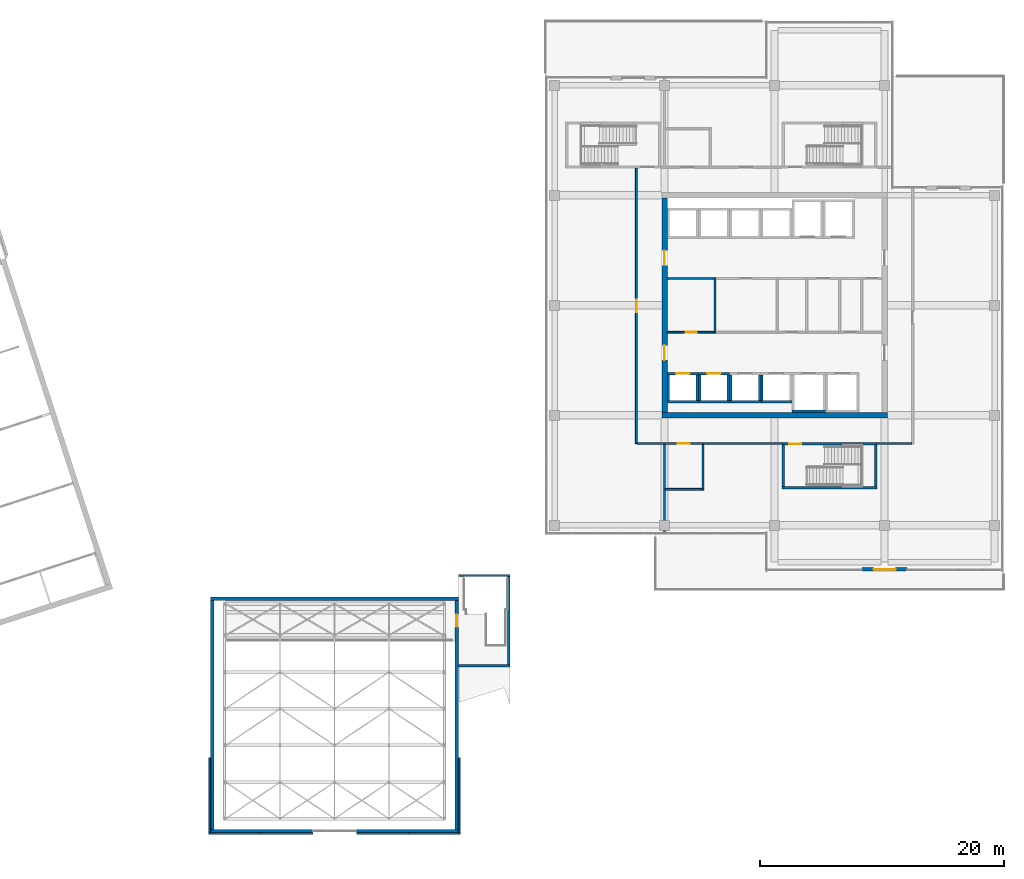
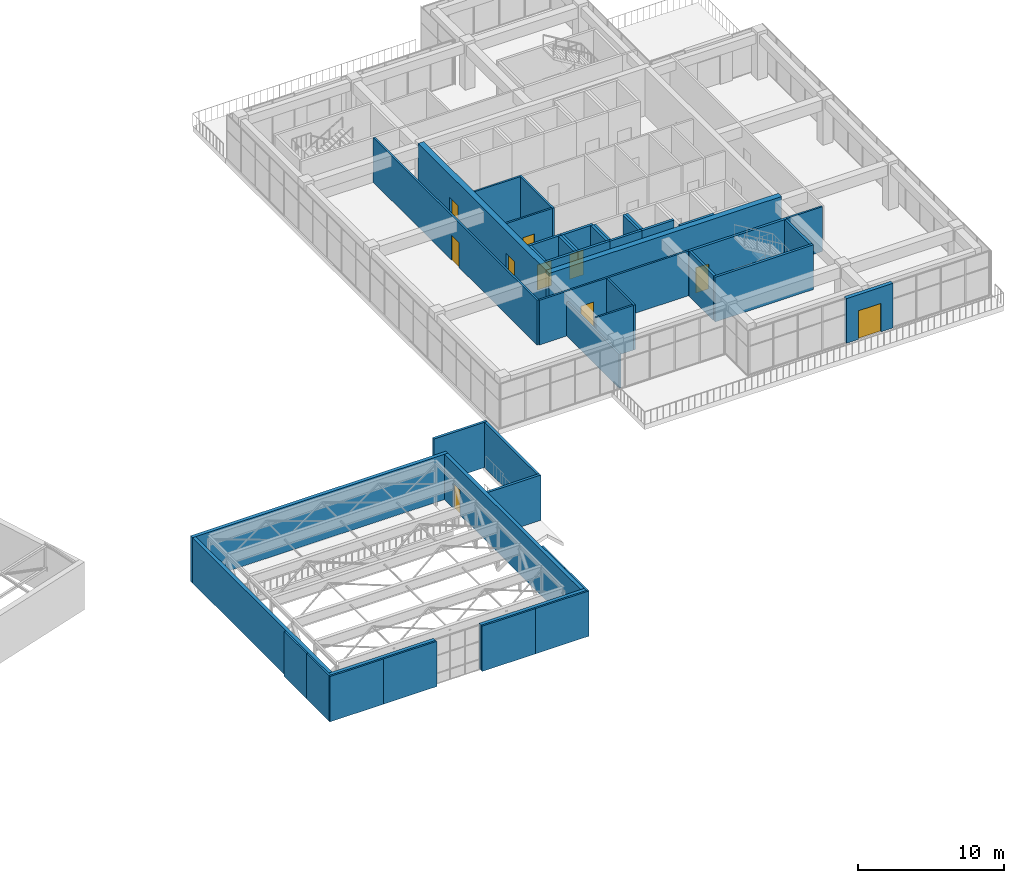
# One storey, part 73 of 81: 46 walls, 10 doors, 10 openings.
"""IFC4 building model written with IfcOpenShell, lengths in metres."""

from ifc_helpers import new_model, si_unit, direction, frame, frame_2d, origin, place, context, subcontext, project, spatial, rectangle, extrude, material, layer, layer_set, type_object, element, fill, save


model = new_model("IFC4")

# Units and contexts
model_context = context("Model", 3, precision=1e-05, world=origin(), true_north=direction((0.0, 1.0)))
body_context = subcontext(model_context, "Body", "Model", "MODEL_VIEW")
ifc_project = project(units=[si_unit("LENGTHUNIT", "METRE"), si_unit("AREAUNIT", "SQUARE_METRE"), si_unit("VOLUMEUNIT", "CUBIC_METRE"), si_unit("PLANEANGLEUNIT", "RADIAN"), si_unit("MASSUNIT", "GRAM", prefix="KILO")], contexts=[model_context])

# Site, building, storey
site_placement = place(None, origin())
site = spatial("IfcSite", under=ifc_project, at=site_placement, CompositionType="ELEMENT")
building_placement = place(site_placement, origin())
building = spatial("IfcBuilding", under=site, at=building_placement, Name="Tuart Plaza Theatre", CompositionType="ELEMENT")
storey_placement = place(building_placement, frame((0.0, 0.0, 17.5)))
storey = spatial("IfcBuildingStorey", under=building, at=storey_placement, Name="L04", CompositionType="ELEMENT", Elevation=17.5)

# Wall
ifc_material_1 = material(Name="Masonry block", Category="masonry")
ifc_layer_1 = layer(ifc_material_1, 0.14990234375)
ifc_layer_set_1 = layer_set([ifc_layer_1], Name="PARTITION BLK150 MASONRYB FRL -/120/120")
wall_type_1 = type_object("IfcWallType", Name="PARTITION BLK150 MASONRYB FRL -/120/120", PredefinedType="PARTITIONING", material=ifc_layer_set_1)
wall_1_placement = place(storey_placement, frame((127.125, 71.72509765625, 0.0), z_axis=(0.0, 0.0, 1.0), x_axis=(0.0, 1.0, 0.0)))
element("IfcWall", 1, at=wall_1_placement, inside=storey, type_object=wall_type_1, Name="P607", PredefinedType="PARTITIONING", context=body_context, shape_type="SweptSolid", body=[
    extrude(rectangle(XDim=4.5498046875, YDim=0.14990234375, at=frame_2d((2.27490234375, 0.0))), origin(), (0.0, 0.0, 1.0), 3.75),
])

# Wall, opening, door
wall_2_placement = place(storey_placement, frame((123.22509765625, 71.800048828125, 0.0), z_axis=(0.0, 0.0, 1.0), x_axis=(1.0, 0.0, 0.0)))
wall_2 = element("IfcWall", 2, at=wall_2_placement, inside=storey, type_object=wall_type_1, Name="P608", PredefinedType="PARTITIONING", context=body_context, shape_type="SweptSolid", body=[
    extrude(rectangle(XDim=3.824951171875, YDim=0.14990234375, at=frame_2d((1.91259765625, 0.0))), origin(), (0.0, 0.0, 1.0), 3.75),
])
opening_1_placement = place(wall_2_placement, frame((1.5, 0.0, 0.0)))
opening_1 = element("IfcOpeningElement", 3, at=opening_1_placement, cuts=wall_2, Name="Opening L04-038", PredefinedType="OPENING", context=body_context, shape_type="SweptSolid", body=[
    extrude(rectangle(XDim=0.89990234375, YDim=2.10009765625, at=frame_2d((0.449951171875, 1.050048828125))), frame((0.0, 0.0849609375, 0.0), z_axis=(0.0, -1.0, 0.0), x_axis=(1.0, 0.0, 0.0)), (0.0, 0.0, 1.0), 0.169921875),
])
ifc_material_2 = material(Name="Steel Grade 300", Category="steel")
door_type_1 = type_object("IfcDoorType", Name="DOOR 900x2100 steel single swing FRL -/120/30", OperationType="SINGLE_SWING_LEFT", PredefinedType="DOOR", material=ifc_material_2)
door_1_placement = place(opening_1_placement, origin())
door_1 = element("IfcDoor", 4, at=door_1_placement, inside=storey, type_object=door_type_1, Name="L04-038", OperationType="SINGLE_SWING_LEFT", OverallHeight=2.10009765625, OverallWidth=0.89990234375, PredefinedType="DOOR", context=body_context, shape_type="SweptSolid", body=[
    extrude(rectangle(XDim=0.89990234375, YDim=2.10009765625, at=frame_2d((0.449951171875, 1.050048828125))), frame((0.0, 0.02490234375, 0.0), z_axis=(0.0, -1.0, 0.0), x_axis=(1.0, 0.0, 0.0)), (0.0, 0.0, 1.0), 0.050048828125),
])
fill(opening_1, door_1)

# Wall
wall_3_placement = place(storey_placement, frame((123.22509765625, 76.199951171875, 0.0), z_axis=(0.0, 0.0, 1.0), x_axis=(1.0, 0.0, 0.0)))
element("IfcWall", 5, at=wall_3_placement, inside=storey, type_object=wall_type_1, Name="P609", PredefinedType="PARTITIONING", context=body_context, shape_type="SweptSolid", body=[
    extrude(rectangle(XDim=3.824951171875, YDim=0.14990234375, at=frame_2d((1.91259765625, 0.0))), origin(), (0.0, 0.0, 1.0), 3.75),
])

# Wall, opening, door
ifc_material_3 = material(Name="Masonry block", Category="masonry")
ifc_layer_2 = layer(ifc_material_3, 0.14990234375)
ifc_layer_set_2 = layer_set([ifc_layer_2], Name="PARTITION BLK150 MASONRYB FRL 120/-/-")
wall_type_2 = type_object("IfcWallType", Name="PARTITION BLK150 MASONRYB FRL 120/-/-", PredefinedType="PARTITIONING", material=ifc_layer_set_2)
wall_4_placement = place(storey_placement, frame((120.699951171875, 62.699951171875, 0.0), z_axis=(0.0, 0.0, 1.0), x_axis=(0.0, 1.0, 0.0)))
wall_4 = element("IfcWall", 6, at=wall_4_placement, inside=storey, type_object=wall_type_2, Name="P624", PredefinedType="PARTITIONING", context=body_context, shape_type="SweptSolid", body=[
    extrude(rectangle(XDim=22.525146484375, YDim=0.14990234375, at=frame_2d((11.2626953125, 0.0))), origin(), (0.0, 0.0, 1.0), 3.75),
])
opening_2_placement = place(wall_4_placement, frame((10.74755859375, 0.0, 0.0)))
opening_2 = element("IfcOpeningElement", 7, at=opening_2_placement, cuts=wall_4, Name="Opening L04-047", PredefinedType="OPENING", context=body_context, shape_type="SweptSolid", body=[
    extrude(rectangle(XDim=1.0, YDim=2.10009765625, at=frame_2d((0.5, 1.050048828125))), frame((0.0, 0.0849609375, 0.0), z_axis=(0.0, -1.0, 0.0), x_axis=(1.0, 0.0, 0.0)), (0.0, 0.0, 1.0), 0.169921875),
])
ifc_material_4 = material(Name="Timber", Category="wood")
door_type_2 = type_object("IfcDoorType", Name="DOOR 1000x2100 timber single swing FRL -/60/30", OperationType="SINGLE_SWING_LEFT", PredefinedType="DOOR", material=ifc_material_4)
door_2_placement = place(opening_2_placement, origin())
door_2 = element("IfcDoor", 8, at=door_2_placement, inside=storey, type_object=door_type_2, Name="L04-047", OperationType="SINGLE_SWING_RIGHT", OverallHeight=2.10009765625, OverallWidth=1.0, PredefinedType="DOOR", context=body_context, shape_type="SweptSolid", body=[
    extrude(rectangle(XDim=1.0, YDim=2.10009765625, at=frame_2d((0.5, 1.050048828125))), frame((0.0, 0.02490234375, 0.0), z_axis=(0.0, -1.0, 0.0), x_axis=(1.0, 0.0, 0.0)), (0.0, 0.0, 1.0), 0.050048828125),
])
fill(opening_2, door_2)

wall_5_placement = place(storey_placement, frame((132.60009765625, 62.699951171875, 0.0), z_axis=(0.0, 0.0, 1.0), x_axis=(-1.0, 0.0, 0.0)))
wall_5 = element("IfcWall", 9, at=wall_5_placement, inside=storey, type_object=wall_type_2, Name="P625", PredefinedType="PARTITIONING", context=body_context, shape_type="SweptSolid", body=[
    extrude(rectangle(XDim=11.8251953125, YDim=0.14990234375, at=frame_2d((5.91259765625, 0.0))), origin(), (0.0, 0.0, 1.0), 3.75),
])
opening_3_placement = place(wall_5_placement, frame((7.52490234375, 0.0, 0.0)))
opening_3 = element("IfcOpeningElement", 10, at=opening_3_placement, cuts=wall_5, Name="Opening L04-044", PredefinedType="OPENING", context=body_context, shape_type="SweptSolid", body=[
    extrude(rectangle(XDim=1.0, YDim=2.10009765625, at=frame_2d((0.5, 1.050048828125))), frame((0.0, 0.0849609375, 0.0), z_axis=(0.0, -1.0, 0.0), x_axis=(1.0, 0.0, 0.0)), (0.0, 0.0, 1.0), 0.169921875),
])
door_3_placement = place(opening_3_placement, origin())
door_3 = element("IfcDoor", 11, at=door_3_placement, inside=storey, type_object=door_type_2, Name="L04-044", OperationType="SINGLE_SWING_LEFT", OverallHeight=2.10009765625, OverallWidth=1.0, PredefinedType="DOOR", context=body_context, shape_type="SweptSolid", body=[
    extrude(rectangle(XDim=1.0, YDim=2.10009765625, at=frame_2d((0.5, 1.050048828125))), frame((0.0, 0.02490234375, 0.0), z_axis=(0.0, -1.0, 0.0), x_axis=(1.0, 0.0, 0.0)), (0.0, 0.0, 1.0), 0.050048828125),
])
fill(opening_3, door_3)

# Walls
wall_6_placement = place(storey_placement, frame((143.22509765625, 62.699951171875, 0.0), z_axis=(0.0, 0.0, 1.0), x_axis=(-1.0, 0.0, 0.0)))
element("IfcWall", 12, at=wall_6_placement, inside=storey, type_object=wall_type_2, Name="P626", PredefinedType="PARTITIONING", context=body_context, shape_type="SweptSolid", body=[
    extrude(rectangle(XDim=2.8251953125, YDim=0.14990234375, at=frame_2d((1.41259765625, 0.0))), origin(), (0.0, 0.0, 1.0), 3.75),
])
wall_7_placement = place(storey_placement, frame((123.0, 55.39990234375, 0.0), z_axis=(0.0, 0.0, 1.0), x_axis=(0.0, 1.0, 0.0)))
element("IfcWall", 13, at=wall_7_placement, inside=storey, type_object=wall_type_2, Name="P630", PredefinedType="PARTITIONING", context=body_context, shape_type="SweptSolid", body=[
    extrude(rectangle(XDim=7.22607421875, YDim=0.14990234375, at=frame_2d((3.613037109375, 0.0))), origin(), (0.0, 0.0, 1.0), 2.85009765625),
])
wall_8_placement = place(storey_placement, frame((123.074951171875, 58.949951171875, 0.0), z_axis=(0.0, 0.0, 1.0), x_axis=(1.0, 0.0, 0.0)))
element("IfcWall", 14, at=wall_8_placement, inside=storey, type_object=wall_type_2, Name="P632", PredefinedType="PARTITIONING", context=body_context, shape_type="SweptSolid", body=[
    extrude(rectangle(XDim=3.0, YDim=0.14990234375, at=frame_2d((1.5, 0.0))), origin(), (0.0, 0.0, 1.0), 3.75),
])
wall_9_placement = place(storey_placement, frame((126.14990234375, 62.625, 0.0), z_axis=(0.0, 0.0, 1.0), x_axis=(0.0, -1.0, 0.0)))
element("IfcWall", 15, at=wall_9_placement, inside=storey, type_object=wall_type_2, Name="P633", PredefinedType="PARTITIONING", context=body_context, shape_type="SweptSolid", body=[
    extrude(rectangle(XDim=3.75, YDim=0.14990234375, at=frame_2d((1.875, 0.0))), origin(), (0.0, 0.0, 1.0), 3.75),
])
ifc_material_5 = material(Name="Concrete N40 (40 MPa)", Category="concrete")
ifc_layer_3 = layer(ifc_material_5, 0.199951171875)
ifc_layer_set_3 = layer_set([ifc_layer_3], Name="SHEAR WALL RC200 FRL 120/120/120")
wall_type_3 = type_object("IfcWallType", Name="SHEAR WALL RC200 FRL 120/120/120", PredefinedType="SHEAR", material=ifc_layer_set_3)
for number, where, z_axis, x_axis, name in (
    (16, (106.139892578125, 44.5, 0.0), (0.0, 0.0, 1.0), (1.0, 0.0, 0.0), "W247"),
    (17, (110.360107421875, 51.89990234375, 0.0), (0.0, 0.0, 1.0), (-1.0, 0.0, 0.0), "W248"),
):
    element("IfcWall", number, at=place(storey_placement, frame(where, z_axis=z_axis, x_axis=x_axis)), inside=storey, type_object=wall_type_3, Name=name, PredefinedType="SHEAR", context=body_context, shape_type="SweptSolid", body=[
        extrude(rectangle(XDim=4.22021484375, YDim=0.199951171875, at=frame_2d((2.110107421875, 0.0))), origin(), (0.0, 0.0, 1.0), 3.800048828125),
    ])
wall_10_placement = place(storey_placement, frame((123.22509765625, 66.125, 0.0), z_axis=(0.0, 0.0, 1.0), x_axis=(1.0, 0.0, 0.0)))
element("IfcWall", 18, at=wall_10_placement, inside=storey, type_object=wall_type_3, Name="W566", PredefinedType="SHEAR", context=body_context, shape_type="SweptSolid", body=[
    extrude(rectangle(XDim=2.5498046875, YDim=0.199951171875, at=frame_2d((1.27490234375, 0.0))), origin(), (0.0, 0.0, 1.0), 4.0),
])
wall_11_placement = place(storey_placement, frame((125.675048828125, 66.22509765625, 0.0), z_axis=(0.0, 0.0, 1.0), x_axis=(0.0, 1.0, 0.0)))
element("IfcWall", 19, at=wall_11_placement, inside=storey, type_object=wall_type_3, Name="W567", PredefinedType="SHEAR", context=body_context, shape_type="SweptSolid", body=[
    extrude(rectangle(XDim=2.099853515625, YDim=0.199951171875, at=frame_2d((1.0498046875, 0.0))), origin(), (0.0, 0.0, 1.0), 4.0),
])

# Wall, opening, door
wall_12_placement = place(storey_placement, frame((125.77490234375, 68.425048828125, 0.0), z_axis=(0.0, 0.0, 1.0), x_axis=(-1.0, 0.0, 0.0)))
wall_12 = element("IfcWall", 20, at=wall_12_placement, inside=storey, type_object=wall_type_3, Name="W568", PredefinedType="SHEAR", context=body_context, shape_type="SweptSolid", body=[
    extrude(rectangle(XDim=2.5498046875, YDim=0.199951171875, at=frame_2d((1.27490234375, 0.0))), origin(), (0.0, 0.0, 1.0), 4.0),
])
opening_4_placement = place(wall_12_placement, frame((0.72509765625, 0.0, 0.0)))
opening_4 = element("IfcOpeningElement", 21, at=opening_4_placement, cuts=wall_12, Name="Opening L04-023", PredefinedType="OPENING", context=body_context, shape_type="SweptSolid", body=[
    extrude(rectangle(XDim=1.10009765625, YDim=2.10009765625, at=frame_2d((0.550048828125, 1.050048828125))), frame((0.0, 0.10986328125, 0.0), z_axis=(0.0, -1.0, 0.0), x_axis=(1.0, 0.0, 0.0)), (0.0, 0.0, 1.0), 0.219970703125),
])
ifc_material_6 = material(Name="Steel Grade 300", Category="steel")
door_type_3 = type_object("IfcDoorType", Name="LANDING DOOR 1100x2100 steel sliding FRL -/120/30", OperationType="SLIDING_TO_LEFT", PredefinedType="DOOR", material=ifc_material_6)
door_4_placement = place(opening_4_placement, origin())
door_4 = element("IfcDoor", 22, at=door_4_placement, inside=storey, type_object=door_type_3, Name="L04-023", OperationType="SLIDING_TO_LEFT", OverallHeight=2.10009765625, OverallWidth=1.10009765625, PredefinedType="DOOR", context=body_context, shape_type="SweptSolid", body=[
    extrude(rectangle(XDim=1.10009765625, YDim=2.10009765625, at=frame_2d((0.550048828125, 1.050048828125))), frame((0.0, 0.02490234375, 0.0), z_axis=(0.0, -1.0, 0.0), x_axis=(1.0, 0.0, 0.0)), (0.0, 0.0, 1.0), 0.050048828125),
])
fill(opening_4, door_4)

# Walls
wall_13_placement = place(storey_placement, frame((123.324951171875, 68.324951171875, 0.0), z_axis=(0.0, 0.0, 1.0), x_axis=(0.0, -1.0, 0.0)))
element("IfcWall", 23, at=wall_13_placement, inside=storey, type_object=wall_type_3, Name="W569", PredefinedType="SHEAR", context=body_context, shape_type="SweptSolid", body=[
    extrude(rectangle(XDim=2.099853515625, YDim=0.199951171875, at=frame_2d((1.0498046875, 0.0))), origin(), (0.0, 0.0, 1.0), 4.0),
])
wall_14_placement = place(storey_placement, frame((125.77490234375, 66.125, 0.0), z_axis=(0.0, 0.0, 1.0), x_axis=(1.0, 0.0, 0.0)))
element("IfcWall", 24, at=wall_14_placement, inside=storey, type_object=wall_type_3, Name="W610", PredefinedType="SHEAR", context=body_context, shape_type="SweptSolid", body=[
    extrude(rectangle(XDim=2.550048828125, YDim=0.199951171875, at=frame_2d((1.27490234375, 0.0))), origin(), (0.0, 0.0, 1.0), 4.0),
])
wall_15_placement = place(storey_placement, frame((128.22509765625, 66.22509765625, 0.0), z_axis=(0.0, 0.0, 1.0), x_axis=(0.0, 1.0, 0.0)))
element("IfcWall", 25, at=wall_15_placement, inside=storey, type_object=wall_type_3, Name="W611", PredefinedType="SHEAR", context=body_context, shape_type="SweptSolid", body=[
    extrude(rectangle(XDim=2.099853515625, YDim=0.199951171875, at=frame_2d((1.0498046875, 0.0))), origin(), (0.0, 0.0, 1.0), 4.0),
])

# Wall, opening, door
wall_16_placement = place(storey_placement, frame((128.324951171875, 68.425048828125, 0.0), z_axis=(0.0, 0.0, 1.0), x_axis=(-1.0, 0.0, 0.0)))
wall_16 = element("IfcWall", 26, at=wall_16_placement, inside=storey, type_object=wall_type_3, Name="W612", PredefinedType="SHEAR", context=body_context, shape_type="SweptSolid", body=[
    extrude(rectangle(XDim=2.550048828125, YDim=0.199951171875, at=frame_2d((1.27490234375, 0.0))), origin(), (0.0, 0.0, 1.0), 4.0),
])
opening_5_placement = place(wall_16_placement, frame((0.72509765625, 0.0, 0.0)))
opening_5 = element("IfcOpeningElement", 27, at=opening_5_placement, cuts=wall_16, Name="Opening L04-024", PredefinedType="OPENING", context=body_context, shape_type="SweptSolid", body=[
    extrude(rectangle(XDim=1.10009765625, YDim=2.10009765625, at=frame_2d((0.550048828125, 1.050048828125))), frame((0.0, 0.10986328125, 0.0), z_axis=(0.0, -1.0, 0.0), x_axis=(1.0, 0.0, 0.0)), (0.0, 0.0, 1.0), 0.219970703125),
])
door_5_placement = place(opening_5_placement, origin())
door_5 = element("IfcDoor", 28, at=door_5_placement, inside=storey, type_object=door_type_3, Name="L04-024", OperationType="SLIDING_TO_LEFT", OverallHeight=2.10009765625, OverallWidth=1.10009765625, PredefinedType="DOOR", context=body_context, shape_type="SweptSolid", body=[
    extrude(rectangle(XDim=1.10009765625, YDim=2.10009765625, at=frame_2d((0.550048828125, 1.050048828125))), frame((0.0, 0.02490234375, 0.0), z_axis=(0.0, -1.0, 0.0), x_axis=(1.0, 0.0, 0.0)), (0.0, 0.0, 1.0), 0.050048828125),
])
fill(opening_5, door_5)

# Walls
wall_17_placement = place(storey_placement, frame((125.875, 68.324951171875, 0.0), z_axis=(0.0, 0.0, 1.0), x_axis=(0.0, -1.0, 0.0)))
element("IfcWall", 29, at=wall_17_placement, inside=storey, type_object=wall_type_3, Name="W613", PredefinedType="SHEAR", context=body_context, shape_type="SweptSolid", body=[
    extrude(rectangle(XDim=2.099853515625, YDim=0.199951171875, at=frame_2d((1.0498046875, 0.0))), origin(), (0.0, 0.0, 1.0), 4.0),
])
wall_18_placement = place(storey_placement, frame((128.324951171875, 66.125, 0.0), z_axis=(0.0, 0.0, 1.0), x_axis=(1.0, 0.0, 0.0)))
element("IfcWall", 30, at=wall_18_placement, inside=storey, type_object=wall_type_3, Name="W654", PredefinedType="SHEAR", context=body_context, shape_type="SweptSolid", body=[
    extrude(rectangle(XDim=2.550048828125, YDim=0.199951171875, at=frame_2d((1.27490234375, 0.0))), origin(), (0.0, 0.0, 1.0), 4.0),
])
for number, where, z_axis, x_axis, name in (
    (31, (130.77490234375, 66.22509765625, 0.0), (0.0, 0.0, 1.0), (0.0, 1.0, 0.0), "W655"),
    (32, (128.425048828125, 68.324951171875, 0.0), (0.0, 0.0, 1.0), (0.0, -1.0, 0.0), "W657"),
):
    element("IfcWall", number, at=place(storey_placement, frame(where, z_axis=z_axis, x_axis=x_axis)), inside=storey, type_object=wall_type_3, Name=name, PredefinedType="SHEAR", context=body_context, shape_type="SweptSolid", body=[
        extrude(rectangle(XDim=2.099853515625, YDim=0.199951171875, at=frame_2d((1.0498046875, 0.0))), origin(), (0.0, 0.0, 1.0), 4.0),
    ])
wall_19_placement = place(storey_placement, frame((130.875, 66.125, 0.0), z_axis=(0.0, 0.0, 1.0), x_axis=(1.0, 0.0, 0.0)))
element("IfcWall", 33, at=wall_19_placement, inside=storey, type_object=wall_type_3, Name="W698", PredefinedType="SHEAR", context=body_context, shape_type="SweptSolid", body=[
    extrude(rectangle(XDim=2.550048828125, YDim=0.199951171875, at=frame_2d((1.27490234375, 0.0))), origin(), (0.0, 0.0, 1.0), 4.0),
])
wall_20_placement = place(storey_placement, frame((130.97509765625, 68.324951171875, 0.0), z_axis=(0.0, 0.0, 1.0), x_axis=(0.0, -1.0, 0.0)))
element("IfcWall", 34, at=wall_20_placement, inside=storey, type_object=wall_type_3, Name="W701", PredefinedType="SHEAR", context=body_context, shape_type="SweptSolid", body=[
    extrude(rectangle(XDim=2.099853515625, YDim=0.199951171875, at=frame_2d((1.0498046875, 0.0))), origin(), (0.0, 0.0, 1.0), 4.0),
])
wall_21_placement = place(storey_placement, frame((133.425048828125, 65.324951171875, 0.0), z_axis=(0.0, 0.0, 1.0), x_axis=(1.0, 0.0, 0.0)))
element("IfcWall", 35, at=wall_21_placement, inside=storey, type_object=wall_type_3, Name="W1030", PredefinedType="SHEAR", context=body_context, shape_type="SweptSolid", body=[
    extrude(rectangle(XDim=2.75, YDim=0.199951171875, at=frame_2d((1.375, 0.0))), origin(), (0.0, 0.0, 1.0), 4.0),
])
wall_22_placement = place(storey_placement, frame((132.60009765625, 59.074951171875, 0.0), z_axis=(0.0, 0.0, 1.0), x_axis=(1.0, 0.0, 0.0)))
element("IfcWall", 36, at=wall_22_placement, inside=storey, type_object=wall_type_3, Name="P400", PredefinedType="SHEAR", context=body_context, shape_type="SweptSolid", body=[
    extrude(rectangle(XDim=7.7998046875, YDim=0.199951171875, at=frame_2d((3.89990234375, 0.0))), origin(), (0.0, 0.0, 1.0), 3.75),
])
wall_23_placement = place(storey_placement, frame((140.300048828125, 59.175048828125, 0.0), z_axis=(0.0, 0.0, 1.0), x_axis=(0.0, 1.0, 0.0)))
element("IfcWall", 37, at=wall_23_placement, inside=storey, type_object=wall_type_3, Name="P401", PredefinedType="SHEAR", context=body_context, shape_type="SweptSolid", body=[
    extrude(rectangle(XDim=3.39990234375, YDim=0.199951171875, at=frame_2d((1.699951171875, 0.0))), origin(), (0.0, 0.0, 1.0), 3.75),
])

# Wall, opening, door
wall_24_placement = place(storey_placement, frame((140.39990234375, 62.675048828125, 0.0), z_axis=(0.0, 0.0, 1.0), x_axis=(-1.0, 0.0, 0.0)))
wall_24 = element("IfcWall", 38, at=wall_24_placement, inside=storey, type_object=wall_type_3, Name="P402", PredefinedType="SHEAR", context=body_context, shape_type="SweptSolid", body=[
    extrude(rectangle(XDim=7.7998046875, YDim=0.199951171875, at=frame_2d((3.89990234375, 0.0))), origin(), (0.0, 0.0, 1.0), 3.75),
])
opening_6_placement = place(wall_24_placement, frame((6.199951171875, 0.0, 0.0)))
opening_6 = element("IfcOpeningElement", 39, at=opening_6_placement, cuts=wall_24, Name="Opening L04-031", PredefinedType="OPENING", context=body_context, shape_type="SweptSolid", body=[
    extrude(rectangle(XDim=1.0, YDim=2.10009765625, at=frame_2d((0.5, 1.050048828125))), frame((0.0, 0.10986328125, 0.0), z_axis=(0.0, -1.0, 0.0), x_axis=(1.0, 0.0, 0.0)), (0.0, 0.0, 1.0), 0.219970703125),
])
ifc_material_7 = material(Name="Steel Grade 300", Category="steel")
door_type_4 = type_object("IfcDoorType", Name="DOOR 1000x2100 steel single swing FRL -/120/30", OperationType="SINGLE_SWING_LEFT", PredefinedType="DOOR", material=ifc_material_7)
door_6_placement = place(opening_6_placement, origin())
door_6 = element("IfcDoor", 40, at=door_6_placement, inside=storey, type_object=door_type_4, Name="L04-031", OperationType="SINGLE_SWING_LEFT", OverallHeight=2.10009765625, OverallWidth=1.0, PredefinedType="DOOR", context=body_context, shape_type="SweptSolid", body=[
    extrude(rectangle(XDim=1.0, YDim=2.10009765625, at=frame_2d((0.5, 1.050048828125))), frame((0.0, 0.02490234375, 0.0), z_axis=(0.0, -1.0, 0.0), x_axis=(1.0, 0.0, 0.0)), (0.0, 0.0, 1.0), 0.050048828125),
])
fill(opening_6, door_6)

# Walls
wall_25_placement = place(storey_placement, frame((132.699951171875, 62.574951171875, 0.0), z_axis=(0.0, 0.0, 1.0), x_axis=(0.0, -1.0, 0.0)))
element("IfcWall", 41, at=wall_25_placement, inside=storey, type_object=wall_type_3, Name="P403", PredefinedType="SHEAR", context=body_context, shape_type="SweptSolid", body=[
    extrude(rectangle(XDim=3.39990234375, YDim=0.199951171875, at=frame_2d((1.699951171875, 0.0))), origin(), (0.0, 0.0, 1.0), 3.75),
])
ifc_material_8 = material(Name="Concrete N40 (40 MPa)", Category="concrete")
ifc_layer_4 = layer(ifc_material_8, 0.199951171875)
ifc_layer_set_4 = layer_set([ifc_layer_4], Name="SHEAR WALL RC200 FRL 120/120/120 EXT")
wall_type_4 = type_object("IfcWallType", Name="SHEAR WALL RC200 FRL 120/120/120 EXT", PredefinedType="SHEAR", material=ifc_layer_set_4)
wall_26_placement = place(storey_placement, frame((110.260009765625, 44.60009765625, 0.0), z_axis=(0.0, 0.0, 1.0), x_axis=(0.0, 1.0, 0.0)))
element("IfcWall", 42, at=wall_26_placement, inside=storey, type_object=wall_type_4, Name="W258", PredefinedType="SHEAR", context=body_context, shape_type="SweptSolid", body=[
    extrude(rectangle(XDim=7.199951171875, YDim=0.199951171875, at=frame_2d((3.60009765625, 0.0))), origin(), (0.0, 0.0, 1.0), 3.800048828125),
])
ifc_material_9 = material(Name="Concrete N50 (50 MPa)", Category="concrete")
ifc_layer_5 = layer(ifc_material_9, 0.449951171875)
ifc_layer_set_5 = layer_set([ifc_layer_5], Name="SHEAR WALL RC450 N50 FRL 120/120/120")
wall_type_5 = type_object("IfcWallType", Name="SHEAR WALL RC450 N50 FRL 120/120/120", PredefinedType="SHEAR", material=ifc_layer_set_5)
wall_27_placement = place(storey_placement, frame((122.77490234375, 65.0, 0.0), z_axis=(0.0, 0.0, 1.0), x_axis=(1.0, 0.0, 0.0)))
element("IfcWall", 43, at=wall_27_placement, inside=storey, type_object=wall_type_5, Name="W379", PredefinedType="SHEAR", context=body_context, shape_type="SweptSolid", body=[
    extrude(rectangle(XDim=18.4501953125, YDim=0.449951171875, at=frame_2d((9.22509765625, 0.0))), origin(), (0.0, 0.0, 1.0), 4.0),
])

# Wall, openings, doors
wall_28_placement = place(storey_placement, frame((123.0, 82.77490234375, 0.0), z_axis=(0.0, 0.0, 1.0), x_axis=(0.0, -1.0, 0.0)))
wall_28 = element("IfcWall", 44, at=wall_28_placement, inside=storey, type_object=wall_type_5, Name="W382", PredefinedType="SHEAR", context=body_context, shape_type="SweptSolid", body=[
    extrude(rectangle(XDim=17.5498046875, YDim=0.449951171875, at=frame_2d((8.77490234375, 0.0))), origin(), (0.0, 0.0, 1.0), 4.0),
])
opening_7_placement = place(wall_28_placement, frame((12.050048828125, 0.0, 0.0)))
opening_7 = element("IfcOpeningElement", 45, at=opening_7_placement, cuts=wall_28, Name="Opening L04-034", PredefinedType="OPENING", context=body_context, shape_type="SweptSolid", body=[
    extrude(rectangle(XDim=1.199951171875, YDim=2.10009765625, at=frame_2d((0.60009765625, 1.050048828125))), frame((0.0, 0.23486328125, 0.0), z_axis=(0.0, -1.0, 0.0), x_axis=(1.0, 0.0, 0.0)), (0.0, 0.0, 1.0), 0.469970703125),
])
opening_8_placement = place(wall_28_placement, frame((4.300048828125, 0.0, 0.0)))
opening_8 = element("IfcOpeningElement", 46, at=opening_8_placement, cuts=wall_28, Name="Opening L04-036", PredefinedType="OPENING", context=body_context, shape_type="SweptSolid", body=[
    extrude(rectangle(XDim=1.199951171875, YDim=2.10009765625, at=frame_2d((0.60009765625, 1.050048828125))), frame((0.0, 0.23486328125, 0.0), z_axis=(0.0, -1.0, 0.0), x_axis=(1.0, 0.0, 0.0)), (0.0, 0.0, 1.0), 0.469970703125),
])
ifc_material_10 = material(Name="Steel Grade 300", Category="steel")
door_type_5 = type_object("IfcDoorType", Name="DOOR 1200x2100 steel single swing FRL -/120/30", OperationType="SINGLE_SWING_LEFT", PredefinedType="DOOR", material=ifc_material_10)
door_7_placement = place(opening_7_placement, frame((1.199951171875, 0.0, 0.0), z_axis=(0.0, 0.0, 1.0), x_axis=(-1.0, 0.0, 0.0)))
door_7 = element("IfcDoor", 47, at=door_7_placement, inside=storey, type_object=door_type_5, Name="L04-034", OperationType="SINGLE_SWING_RIGHT", OverallHeight=2.10009765625, OverallWidth=1.199951171875, PredefinedType="DOOR", context=body_context, shape_type="SweptSolid", body=[
    extrude(rectangle(XDim=1.199951171875, YDim=2.10009765625, at=frame_2d((0.60009765625, 1.050048828125))), frame((0.0, 0.02490234375, 0.0), z_axis=(0.0, -1.0, 0.0), x_axis=(1.0, 0.0, 0.0)), (0.0, 0.0, 1.0), 0.050048828125),
])
fill(opening_7, door_7)
door_8_placement = place(opening_8_placement, frame((1.199951171875, 0.0, 0.0), z_axis=(0.0, 0.0, 1.0), x_axis=(-1.0, 0.0, 0.0)))
door_8 = element("IfcDoor", 48, at=door_8_placement, inside=storey, type_object=door_type_5, Name="L04-036", OperationType="SINGLE_SWING_LEFT", OverallHeight=2.10009765625, OverallWidth=1.199951171875, PredefinedType="DOOR", context=body_context, shape_type="SweptSolid", body=[
    extrude(rectangle(XDim=1.199951171875, YDim=2.10009765625, at=frame_2d((0.60009765625, 1.050048828125))), frame((0.0, 0.02490234375, 0.0), z_axis=(0.0, -1.0, 0.0), x_axis=(1.0, 0.0, 0.0)), (0.0, 0.0, 1.0), 0.050048828125),
])
fill(opening_8, door_8)

# Wall
ifc_material_11 = material(Name="Concrete N40 (40 MPa)", Category="concrete")
ifc_layer_6 = layer(ifc_material_11, 0.280029296875)
ifc_layer_set_6 = layer_set([ifc_layer_6], Name="WALL RC280 FRL 120/120/120")
wall_type_6 = type_object("IfcWallType", Name="WALL RC280 FRL 120/120/120", PredefinedType="SOLIDWALL", material=ifc_layer_set_6)
wall_29_placement = place(storey_placement, frame((97.800048828125, 31.0, 0.0), z_axis=(0.0, 0.0, 1.0), x_axis=(1.0, 0.0, 0.0)))
element("IfcWall", 49, at=wall_29_placement, inside=storey, type_object=wall_type_6, Name="P6", PredefinedType="SOLIDWALL", context=body_context, shape_type="SweptSolid", body=[
    extrude(rectangle(XDim=8.33984375, YDim=0.280029296875, at=frame_2d((4.169921875, 0.0))), origin(), (0.0, 0.0, 1.0), 3.800048828125),
])

# Wall, opening, door
wall_30_placement = place(storey_placement, frame((106.0, 31.139892578125, 0.0), z_axis=(0.0, 0.0, 1.0), x_axis=(0.0, 1.0, 0.0)))
wall_30 = element("IfcWall", 50, at=wall_30_placement, inside=storey, type_object=wall_type_6, Name="P7", PredefinedType="SOLIDWALL", context=body_context, shape_type="SweptSolid", body=[
    extrude(rectangle(XDim=18.72021484375, YDim=0.280029296875, at=frame_2d((9.360107421875, 0.0))), origin(), (0.0, 0.0, 1.0), 3.800048828125),
])
opening_9_placement = place(wall_30_placement, frame((16.56005859375, 0.0, 0.0)))
opening_9 = element("IfcOpeningElement", 51, at=opening_9_placement, cuts=wall_30, Name="Opening L04-022", PredefinedType="OPENING", context=body_context, shape_type="SweptSolid", body=[
    extrude(rectangle(XDim=1.0, YDim=2.10009765625, at=frame_2d((0.5, 1.050048828125))), frame((0.0, 0.14990234375, 0.0), z_axis=(0.0, -1.0, 0.0), x_axis=(1.0, 0.0, 0.0)), (0.0, 0.0, 1.0), 0.300048828125),
])
door_9_placement = place(opening_9_placement, origin())
door_9 = element("IfcDoor", 52, at=door_9_placement, inside=storey, type_object=door_type_4, Name="L04-022", OperationType="SINGLE_SWING_LEFT", OverallHeight=2.10009765625, OverallWidth=1.0, PredefinedType="DOOR", context=body_context, shape_type="SweptSolid", body=[
    extrude(rectangle(XDim=1.0, YDim=2.10009765625, at=frame_2d((0.5, 1.050048828125))), frame((0.0, 0.02490234375, 0.0), z_axis=(0.0, -1.0, 0.0), x_axis=(1.0, 0.0, 0.0)), (0.0, 0.0, 1.0), 0.050048828125),
])
fill(opening_9, door_9)

# Walls
wall_31_placement = place(storey_placement, frame((106.139892578125, 50.0, 0.0), z_axis=(0.0, 0.0, 1.0), x_axis=(-1.0, 0.0, 0.0)))
element("IfcWall", 53, at=wall_31_placement, inside=storey, type_object=wall_type_6, Name="P8", PredefinedType="SOLIDWALL", context=body_context, shape_type="SweptSolid", body=[
    extrude(rectangle(XDim=20.27978515625, YDim=0.280029296875, at=frame_2d((10.139892578125, 0.0))), origin(), (0.0, 0.0, 1.0), 3.800048828125),
])
wall_32_placement = place(storey_placement, frame((86.0, 49.860107421875, 0.0), z_axis=(0.0, 0.0, 1.0), x_axis=(0.0, -1.0, 0.0)))
element("IfcWall", 54, at=wall_32_placement, inside=storey, type_object=wall_type_6, Name="P9", PredefinedType="SOLIDWALL", context=body_context, shape_type="SweptSolid", body=[
    extrude(rectangle(XDim=18.72021484375, YDim=0.280029296875, at=frame_2d((9.360107421875, 0.0))), origin(), (0.0, 0.0, 1.0), 3.800048828125),
])
wall_33_placement = place(storey_placement, frame((85.860107421875, 31.0, 0.0), z_axis=(0.0, 0.0, 1.0), x_axis=(1.0, 0.0, 0.0)))
element("IfcWall", 55, at=wall_33_placement, inside=storey, type_object=wall_type_6, Name="P10", PredefinedType="SOLIDWALL", context=body_context, shape_type="SweptSolid", body=[
    extrude(rectangle(XDim=8.33984375, YDim=0.280029296875, at=frame_2d((4.169921875, 0.0))), origin(), (0.0, 0.0, 1.0), 3.800048828125),
])

# Wall, opening, door
ifc_material_12 = material(Name="Concrete N40 (40 MPa)", Category="concrete")
ifc_layer_7 = layer(ifc_material_12, 0.300048828125)
ifc_layer_set_7 = layer_set([ifc_layer_7], Name="WALL RC300 EXT clad")
wall_type_7 = type_object("IfcWallType", Name="WALL RC300 EXT clad", PredefinedType="SOLIDWALL", material=ifc_layer_set_7)
wall_34_placement = place(storey_placement, frame((139.14990234375, 52.39990234375, 0.0), z_axis=(0.0, 0.0, 1.0), x_axis=(1.0, 0.0, 0.0)))
wall_34 = element("IfcWall", 56, at=wall_34_placement, inside=storey, type_object=wall_type_7, Name="P124", PredefinedType="SOLIDWALL", context=body_context, shape_type="SweptSolid", body=[
    extrude(rectangle(XDim=3.7001953125, YDim=0.300048828125, at=frame_2d((1.85009765625, 0.0))), origin(), (0.0, 0.0, 1.0), 3.75),
])
opening_10_placement = place(wall_34_placement, frame((0.949951171875, 0.0, 0.0)))
opening_10 = element("IfcOpeningElement", 57, at=opening_10_placement, cuts=wall_34, Name="Opening L04-003", PredefinedType="OPENING", context=body_context, shape_type="SweptSolid", body=[
    extrude(rectangle(XDim=1.800048828125, YDim=2.39990234375, at=frame_2d((0.89990234375, 1.199951171875))), frame((0.0, 0.159912109375, 0.0), z_axis=(0.0, -1.0, 0.0), x_axis=(1.0, 0.0, 0.0)), (0.0, 0.0, 1.0), 0.320068359375),
])
ifc_material_13 = material(Name="Aluminium", Category="aluminium")
door_type_6 = type_object("IfcDoorType", Name="DOOR 1800x2400 aluminium double swing glazed", OperationType="DOUBLE_DOOR_SINGLE_SWING", PredefinedType="DOOR", material=ifc_material_13)
door_10_placement = place(opening_10_placement, frame((1.800048828125, 0.0, 0.0), z_axis=(0.0, 0.0, 1.0), x_axis=(-1.0, 0.0, 0.0)))
door_10 = element("IfcDoor", 58, at=door_10_placement, inside=storey, type_object=door_type_6, Name="L04-003", OperationType="DOUBLE_DOOR_SINGLE_SWING", OverallHeight=2.39990234375, OverallWidth=1.800048828125, PredefinedType="DOOR", context=body_context, shape_type="SweptSolid", body=[
    extrude(rectangle(XDim=1.800048828125, YDim=2.39990234375, at=frame_2d((0.89990234375, 1.199951171875))), frame((0.0, 0.02490234375, 0.0), z_axis=(0.0, -1.0, 0.0), x_axis=(1.0, 0.0, 0.0)), (0.0, 0.0, 1.0), 0.050048828125),
])
fill(opening_10, door_10)

# Walls
ifc_material_14 = material(Name="Zinc")
ifc_layer_8 = layer(ifc_material_14, 0.139892578125)
ifc_layer_set_8 = layer_set([ifc_layer_8], Name="WALL ZIN140 ZINC EXT")
wall_type_8 = type_object("IfcWallType", Name="WALL ZIN140 ZINC EXT", PredefinedType="SOLIDWALL", material=ifc_layer_set_8)
for number, where, z_axis, x_axis, name in (
    (59, (85.719970703125, 30.7900390625, 0.0), (0.0, 0.0, 1.0), (1.0, 0.0, 0.0), "P85"),
    (60, (89.9599609375, 30.7900390625, 0.0), (0.0, 0.0, 1.0), (1.0, 0.0, 0.0), "P86"),
    (61, (97.800048828125, 30.7900390625, 0.0), (0.0, 0.0, 1.0), (1.0, 0.0, 0.0), "P87"),
    (62, (102.0400390625, 30.7900390625, 0.0), (0.0, 0.0, 1.0), (1.0, 0.0, 0.0), "P88"),
):
    element("IfcWall", number, at=place(storey_placement, frame(where, z_axis=z_axis, x_axis=x_axis)), inside=storey, type_object=wall_type_8, Name=name, PredefinedType="SOLIDWALL", context=body_context, shape_type="SweptSolid", body=[
        extrude(rectangle(XDim=4.239990234375, YDim=0.139892578125, at=frame_2d((2.1201171875, 0.0))), origin(), (0.0, 0.0, 1.0), 3.800048828125),
    ])
wall_35_placement = place(storey_placement, frame((85.7900390625, 30.860107421875, 0.0), z_axis=(0.0, 0.0, 1.0), x_axis=(0.0, 1.0, 0.0)))
element("IfcWall", 63, at=wall_35_placement, inside=storey, type_object=wall_type_8, Name="P89", PredefinedType="SOLIDWALL", context=body_context, shape_type="SweptSolid", body=[
    extrude(rectangle(XDim=3.06982421875, YDim=0.139892578125, at=frame_2d((1.534912109375, 0.0))), origin(), (0.0, 0.0, 1.0), 3.800048828125),
])
wall_36_placement = place(storey_placement, frame((85.7900390625, 33.929931640625, 0.0), z_axis=(0.0, 0.0, 1.0), x_axis=(0.0, 1.0, 0.0)))
element("IfcWall", 64, at=wall_36_placement, inside=storey, type_object=wall_type_8, Name="P90", PredefinedType="SOLIDWALL", context=body_context, shape_type="SweptSolid", body=[
    extrude(rectangle(XDim=3.070068359375, YDim=0.139892578125, at=frame_2d((1.53515625, 0.0))), origin(), (0.0, 0.0, 1.0), 3.800048828125),
])
wall_37_placement = place(storey_placement, frame((106.2099609375, 30.860107421875, 0.0), z_axis=(0.0, 0.0, 1.0), x_axis=(0.0, 1.0, 0.0)))
element("IfcWall", 65, at=wall_37_placement, inside=storey, type_object=wall_type_8, Name="P91", PredefinedType="SOLIDWALL", context=body_context, shape_type="SweptSolid", body=[
    extrude(rectangle(XDim=3.06982421875, YDim=0.139892578125, at=frame_2d((1.534912109375, 0.0))), origin(), (0.0, 0.0, 1.0), 3.800048828125),
])
wall_38_placement = place(storey_placement, frame((106.2099609375, 33.929931640625, 0.0), z_axis=(0.0, 0.0, 1.0), x_axis=(0.0, 1.0, 0.0)))
element("IfcWall", 66, at=wall_38_placement, inside=storey, type_object=wall_type_8, Name="P92", PredefinedType="SOLIDWALL", context=body_context, shape_type="SweptSolid", body=[
    extrude(rectangle(XDim=3.070068359375, YDim=0.139892578125, at=frame_2d((1.53515625, 0.0))), origin(), (0.0, 0.0, 1.0), 3.800048828125),
])

save(model, "model.ifc")
